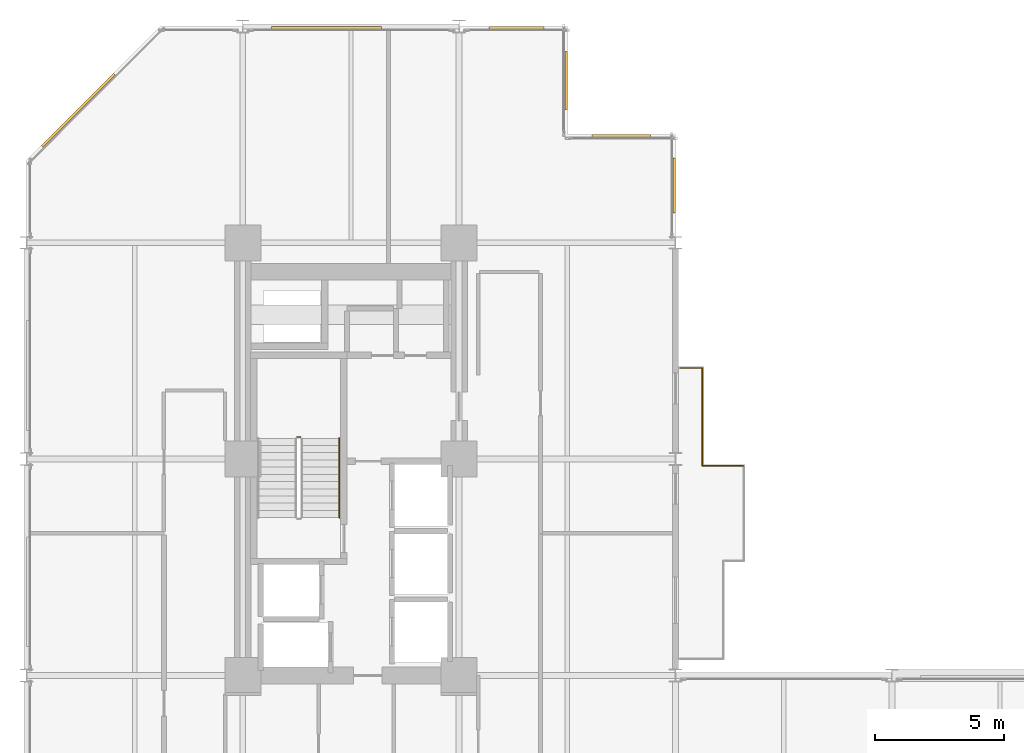
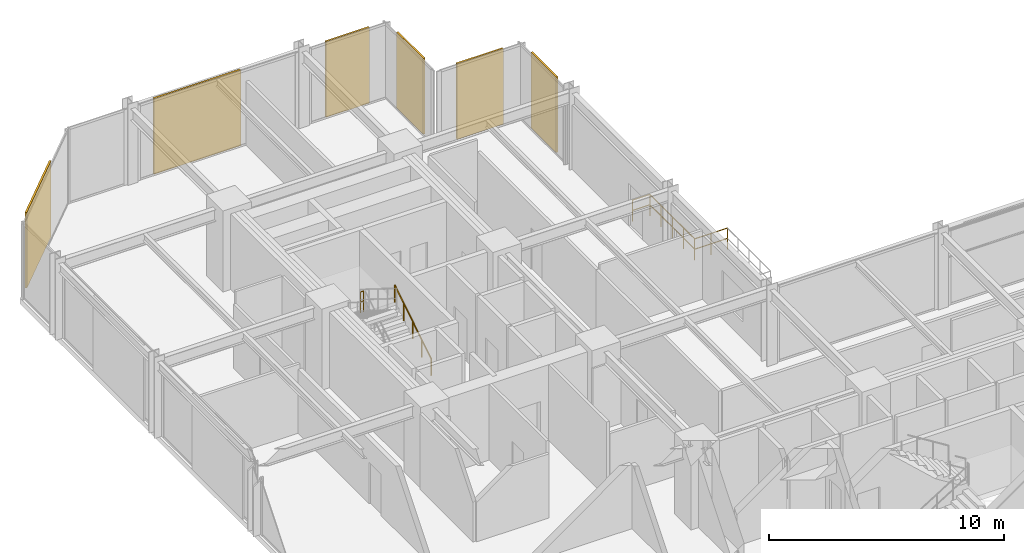
# One storey, part 25 of 25: 6 coverings, 5 railings.
"""IFC4 building model written with IfcOpenShell, lengths in metres."""

from ifc_helpers import new_model, si_unit, direction, frame, origin, origin_2d, place, context, subcontext, project, spatial, rectangle, circle, extrude, material, layer, layer_set, type_object, element, save


model = new_model("IFC4")

# Units and contexts
model_context = context("Model", 3, precision=1e-05, world=origin(), true_north=direction((0.0, 1.0)))
body_context = subcontext(model_context, "Body", "Model", "MODEL_VIEW")
ifc_project = project(units=[si_unit("LENGTHUNIT", "METRE"), si_unit("AREAUNIT", "SQUARE_METRE"), si_unit("VOLUMEUNIT", "CUBIC_METRE"), si_unit("PLANEANGLEUNIT", "RADIAN"), si_unit("MASSUNIT", "GRAM", prefix="KILO")], contexts=[model_context])

# Site, building, storey
site_placement = place(None, origin())
site = spatial("IfcSite", under=ifc_project, at=site_placement, CompositionType="ELEMENT")
building_placement = place(site_placement, origin())
building = spatial("IfcBuilding", under=site, at=building_placement, Name="Nerrivon Quay Data Exchange", CompositionType="ELEMENT")
storey_placement = place(building_placement, frame((0.0, 0.0, 58.39990234375)))
storey = spatial("IfcBuildingStorey", under=building, at=storey_placement, Name="L13", CompositionType="ELEMENT", Elevation=58.39990234375)

# Coverings
ifc_material_1 = material(Name="Architectural terracotta ceramic", Category="masonry")
ifc_layer = layer(ifc_material_1, 0.090087890625)
ifc_layer_set = layer_set([ifc_layer], Name="Architectural terracotta ceramic")
covering_type = type_object("IfcCoveringType", Name="COV-SCR-TERR", PredefinedType="CLADDING", material=ifc_layer_set)
covering_1_placement = place(storey_placement, frame((2.0078125, 47.144287109375, 0.0), z_axis=(0.0, 0.0, 1.0), x_axis=(0.707106781187, 0.707106781187, 0.0)))
element("IfcCovering", 1, at=covering_1_placement, inside=storey, type_object=covering_type, Name="L13 Perforated Terracotta SOLAR SCREEN Cassette", PredefinedType="CLADDING", context=body_context, shape_type="SweptSolid", body=[
    extrude(rectangle(XDim=3.970947265625, YDim=0.090087890625, at=origin_2d()), origin(), (0.0, 0.0, 1.0), 3.925048828125),
])
covering_2_placement = place(storey_placement, frame((11.652099609375, 50.35498046875, 0.0), z_axis=(0.0, 0.0, 1.0), x_axis=(1.0, 0.0, 0.0)))
element("IfcCovering", 2, at=covering_2_placement, inside=storey, type_object=covering_type, Name="L13 Perforated Terracotta SOLAR SCREEN Cassette", PredefinedType="CLADDING", context=body_context, shape_type="SweptSolid", body=[
    extrude(rectangle(XDim=4.26611328125, YDim=0.090087890625, at=origin_2d()), origin(), (0.0, 0.0, 1.0), 3.925048828125),
])
covering_3_placement = place(storey_placement, frame((19.02490234375, 50.35498046875, 0.0), z_axis=(0.0, 0.0, 1.0), x_axis=(1.0, 0.0, 0.0)))
element("IfcCovering", 3, at=covering_3_placement, inside=storey, type_object=covering_type, Name="L13 Perforated Terracotta SOLAR SCREEN Cassette", PredefinedType="CLADDING", context=body_context, shape_type="SweptSolid", body=[
    extrude(rectangle(XDim=2.133056640625, YDim=0.090087890625, at=origin_2d()), origin(), (0.0, 0.0, 1.0), 3.925048828125),
])
for number, where, z_axis, x_axis, name in (
    (4, (20.955078125, 48.300048828125, 0.0), (0.0, 0.0, 1.0), (0.0, -1.0, 0.0), "L13 Perforated Terracotta SOLAR SCREEN Cassette"),
    (5, (23.10009765625, 46.155029296875, 0.0), (0.0, 0.0, 1.0), (1.0, 0.0, 0.0), "L13 Perforated Terracotta SOLAR SCREEN Cassette"),
):
    element("IfcCovering", number, at=place(storey_placement, frame(where, z_axis=z_axis, x_axis=x_axis)), inside=storey, type_object=covering_type, Name=name, PredefinedType="CLADDING", context=body_context, shape_type="SweptSolid", body=[
        extrude(rectangle(XDim=2.26806640625, YDim=0.090087890625, at=origin_2d()), origin(), (0.0, 0.0, 1.0), 3.925048828125),
    ])
covering_4_placement = place(storey_placement, frame((25.155029296875, 44.22509765625, 0.0), z_axis=(0.0, 0.0, 1.0), x_axis=(0.0, -1.0, 0.0)))
element("IfcCovering", 6, at=covering_4_placement, inside=storey, type_object=covering_type, Name="L13 Perforated Terracotta SOLAR SCREEN Cassette", PredefinedType="CLADDING", context=body_context, shape_type="SweptSolid", body=[
    extrude(rectangle(XDim=2.133056640625, YDim=0.090087890625, at=origin_2d()), origin(), (0.0, 0.0, 1.0), 3.925048828125),
])

# Railings
ifc_material_2 = material(Name="Steel Grade C350L0 (350 MPa)", Category="steel")
railing_type_1 = type_object("IfcRailingType", Name="RAIL-GUARD-GR2", PredefinedType="BALUSTRADE", material=ifc_material_2)
railing_1_placement = place(storey_placement, frame((25.3798828125, 37.139892578125, 0.0)))
element("IfcRailing", 7, at=railing_1_placement, inside=storey, type_object=railing_type_1, Name="L13 Verandah Balcony Guard 1.3 1", PredefinedType="BALUSTRADE", context=body_context, shape_type="SweptSolid", body=[
    extrude(circle(Radius=0.02392578125, at=origin_2d()), frame((0.0, 0.0, 1.09619140625), z_axis=(1.0, 0.0, 0.0), x_axis=(0.0, 1.0, 0.0)), (0.0, 0.0, 1.0), 0.860107421875),
    extrude(circle(Radius=0.02392578125, at=origin_2d()), frame((0.0, 0.0, 0.56005859375), z_axis=(1.0, 0.0, 0.0), x_axis=(0.0, 1.0, 0.0)), (0.0, 0.0, 1.0), 0.860107421875),
    extrude(circle(Radius=0.02099609375, at=origin_2d()), origin(), (0.0, 0.0, 1.0), 1.072021484375),
    extrude(circle(Radius=0.02099609375, at=origin_2d()), frame((0.860107421875, 0.0, 0.0)), (0.0, 0.0, 1.0), 1.072021484375),
])
railing_2_placement = place(storey_placement, frame((26.239990234375, 37.139892578125, 0.0)))
element("IfcRailing", 8, at=railing_2_placement, inside=storey, type_object=railing_type_1, Name="L13 Verandah Balcony Guard 1.4 1", PredefinedType="BALUSTRADE", context=body_context, shape_type="SweptSolid", body=[
    extrude(circle(Radius=0.02392578125, at=origin_2d()), frame((0.0, 0.0, 1.09619140625), z_axis=(0.0, -1.0, 0.0), x_axis=(1.0, 0.0, 0.0)), (0.0, 0.0, 1.0), 3.7998046875),
    extrude(circle(Radius=0.02392578125, at=origin_2d()), frame((0.0, 0.0, 0.56005859375), z_axis=(0.0, -1.0, 0.0), x_axis=(1.0, 0.0, 0.0)), (0.0, 0.0, 1.0), 3.7998046875),
    extrude(circle(Radius=0.02099609375, at=origin_2d()), origin(), (0.0, 0.0, 1.0), 1.072021484375),
    extrude(circle(Radius=0.02099609375, at=origin_2d()), frame((0.0, -0.949951171875, 0.0)), (0.0, 0.0, 1.0), 1.072021484375),
    extrude(circle(Radius=0.02099609375, at=origin_2d()), frame((0.0, -1.89990234375, 0.0)), (0.0, 0.0, 1.0), 1.072021484375),
    extrude(circle(Radius=0.02099609375, at=origin_2d()), frame((0.0, -2.849853515625, 0.0)), (0.0, 0.0, 1.0), 1.072021484375),
    extrude(circle(Radius=0.02099609375, at=origin_2d()), frame((0.0, -3.7998046875, 0.0)), (0.0, 0.0, 1.0), 1.072021484375),
])
railing_3_placement = place(storey_placement, frame((26.239990234375, 33.340087890625, 0.0)))
element("IfcRailing", 9, at=railing_3_placement, inside=storey, type_object=railing_type_1, Name="L13 Verandah Balcony Guard 1.5 1", PredefinedType="BALUSTRADE", context=body_context, shape_type="SweptSolid", body=[
    extrude(circle(Radius=0.02392578125, at=origin_2d()), frame((0.0, 0.0, 1.09619140625), z_axis=(1.0, 0.0, 0.0), x_axis=(0.0, 1.0, 0.0)), (0.0, 0.0, 1.0), 1.60009765625),
    extrude(circle(Radius=0.02392578125, at=origin_2d()), frame((0.0, 0.0, 0.56005859375), z_axis=(1.0, 0.0, 0.0), x_axis=(0.0, 1.0, 0.0)), (0.0, 0.0, 1.0), 1.60009765625),
    extrude(circle(Radius=0.02099609375, at=origin_2d()), origin(), (0.0, 0.0, 1.0), 1.072021484375),
    extrude(circle(Radius=0.02099609375, at=origin_2d()), frame((0.800048828125, 0.0, 0.0)), (0.0, 0.0, 1.0), 1.072021484375),
    extrude(circle(Radius=0.02099609375, at=origin_2d()), frame((1.60009765625, 0.0, 0.0)), (0.0, 0.0, 1.0), 1.072021484375),
])
railing_type_2 = type_object("IfcRailingType", Name="RAIL-HAND-HR1", PredefinedType="HANDRAIL", material=ifc_material_2)
railing_4_placement = place(storey_placement, frame((12.14990234375, 31.330078125, 0.175048828125)))
element("IfcRailing", 10, at=railing_4_placement, inside=storey, type_object=railing_type_2, Name="L13 ST01 stair handrail 1", PredefinedType="HANDRAIL", context=body_context, shape_type="SweptSolid", body=[
    extrude(circle(Radius=0.02392578125, at=origin_2d()), frame((0.0, 0.0, 0.8759765625), z_axis=(0.0, 0.847979421464, 0.530029150871), x_axis=(-1.0, 0.0, 0.0)), (0.0, 0.0, 1.0), 3.632080078125),
    extrude(circle(Radius=0.02099609375, at=origin_2d()), origin(), (0.0, 0.0, 1.0), 0.851806640625),
    extrude(circle(Radius=0.02099609375, at=origin_2d()), frame((0.0, 0.77001953125, 0.481201171875)), (0.0, 0.0, 1.0), 0.851806640625),
    extrude(circle(Radius=0.02099609375, at=origin_2d()), frame((0.0, 1.5400390625, 0.96240234375)), (0.0, 0.0, 1.0), 0.851806640625),
    extrude(circle(Radius=0.02099609375, at=origin_2d()), frame((0.0, 2.309814453125, 1.44384765625)), (0.0, 0.0, 1.0), 0.851806640625),
    extrude(circle(Radius=0.02099609375, at=origin_2d()), frame((0.0, 3.079833984375, 1.925048828125)), (0.0, 0.0, 1.0), 0.851806640625),
])
railing_type_3 = type_object("IfcRailingType", Name="RAIL-STAIR-GR1", PredefinedType="BALUSTRADE", material=ifc_material_2)
railing_5_placement = place(storey_placement, frame((10.64990234375, 34.4599609375, 2.10009765625)))
element("IfcRailing", 11, at=railing_5_placement, inside=storey, type_object=railing_type_3, Name="L13 ST01 stair guard 2", PredefinedType="BALUSTRADE", context=body_context, shape_type="SweptSolid", body=[
    extrude(circle(Radius=0.02392578125, at=origin_2d()), frame((0.0, 0.0, 1.076171875), z_axis=(-1.0, 0.0, 0.0), x_axis=(0.0, -1.0, 0.0)), (0.0, 0.0, 1.0), 0.14990234375),
    extrude(circle(Radius=0.02392578125, at=origin_2d()), frame((0.0, 0.0, 0.550048828125), z_axis=(-1.0, 0.0, 0.0), x_axis=(0.0, -1.0, 0.0)), (0.0, 0.0, 1.0), 0.14990234375),
    extrude(circle(Radius=0.02099609375, at=origin_2d()), origin(), (0.0, 0.0, 1.0), 1.052001953125),
    extrude(circle(Radius=0.02099609375, at=origin_2d()), frame((-0.14990234375, 0.0, 0.0)), (0.0, 0.0, 1.0), 1.052001953125),
])

save(model, "model.ifc")
